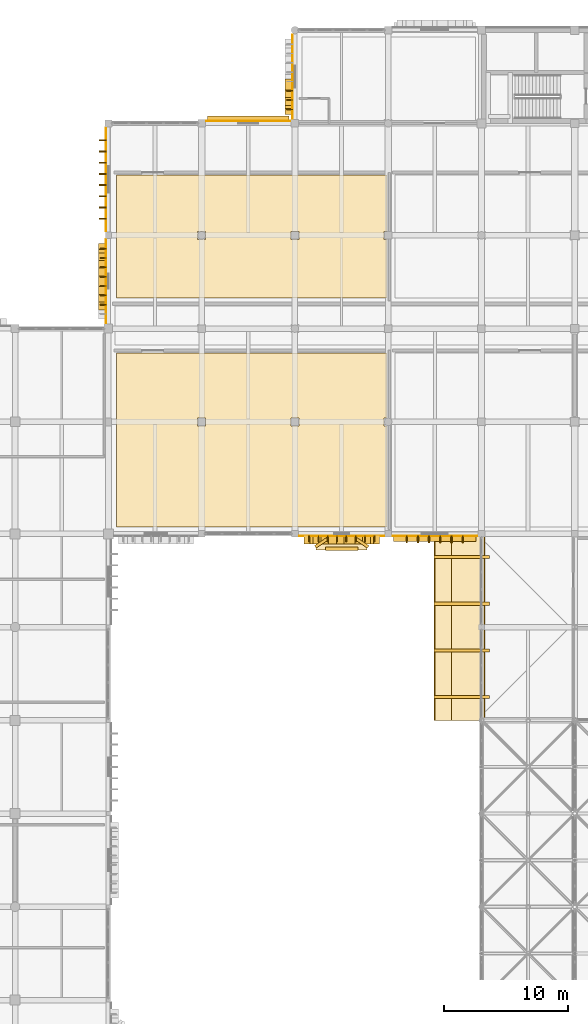
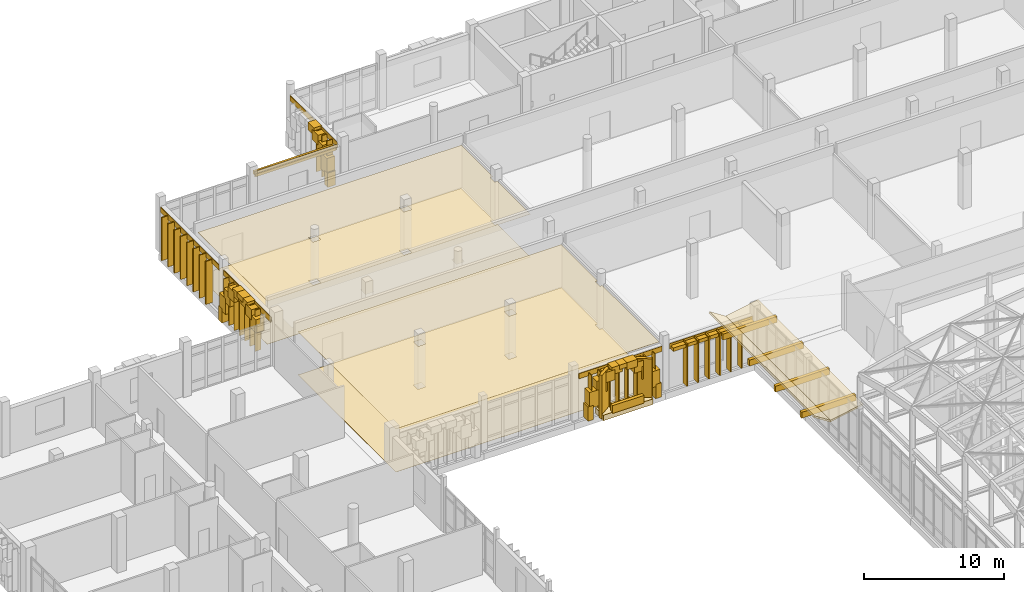
# One storey, part 120 of 131: 59 coverings, 20 shading devices.
"""IFC4 building model written with IfcOpenShell, lengths in metres."""

from ifc_helpers import new_model, si_unit, direction, frame, origin, origin_2d, place, context, subcontext, project, spatial, polyline, rectangle, outline, extrude, material, layer, layer_set, type_object, element, save


model = new_model("IFC4")

# Units and contexts
model_context = context("Model", 3, precision=1e-05, world=origin(), true_north=direction((0.0, 1.0)))
body_context = subcontext(model_context, "Body", "Model", "MODEL_VIEW")
ifc_project = project(units=[si_unit("LENGTHUNIT", "METRE"), si_unit("AREAUNIT", "SQUARE_METRE"), si_unit("VOLUMEUNIT", "CUBIC_METRE"), si_unit("PLANEANGLEUNIT", "RADIAN"), si_unit("MASSUNIT", "GRAM", prefix="KILO")], contexts=[model_context])

# Site, building, storey
site_placement = place(None, origin())
site = spatial("IfcSite", under=ifc_project, at=site_placement, CompositionType="ELEMENT")
building_placement = place(site_placement, origin())
building = spatial("IfcBuilding", under=site, at=building_placement, Name="Dalvernix Boulevard General Hospital", CompositionType="ELEMENT")
storey_placement = place(building_placement, frame((0.0, 0.0, 9.300048828125)))
storey = spatial("IfcBuildingStorey", under=building, at=storey_placement, Name="L02", CompositionType="ELEMENT", Elevation=9.300048828125)

# Coverings
ifc_material_1 = material(Name="Pressed Catalan clay brick and dressed limestone parabolic archivolt", Category="masonry")
ifc_layer_1 = layer(ifc_material_1, 0.419921875)
ifc_layer_set_1 = layer_set([ifc_layer_1], Name="Pressed Catalan clay brick and dressed limestone parabolic archivolt (COV-ARC-01)")
covering_type_1 = type_object("IfcCoveringType", Name="COV-ARC-01", PredefinedType="CLADDING", material=ifc_layer_set_1)
covering_1_placement = place(storey_placement, frame((29.514892578125, 99.60009765625, 0.0), z_axis=(0.0, 0.0, 1.0), x_axis=(0.0, 1.0, 0.0)))
element("IfcCovering", 1, at=covering_1_placement, inside=storey, type_object=covering_type_1, Name="L02 Catalan parabolic arch impost pier W 4-12-R", PredefinedType="CLADDING", context=body_context, shape_type="SweptSolid", body=[
    extrude(rectangle(XDim=0.4599609375, YDim=0.659912109375, at=origin_2d()), origin(), (0.0, 0.0, 1.0), 1.25),
])
covering_2_placement = place(storey_placement, frame((29.514892578125, 94.933349609375, 2.0791015625), z_axis=(0.0, 0.0, 1.0), x_axis=(0.0, 1.0, 0.0)))
element("IfcCovering", 2, at=covering_2_placement, inside=storey, type_object=covering_type_1, Name="L02 Catalan parabolic archivolt voussoir W 4-12-2", PredefinedType="CLADDING", context=body_context, shape_type="SweptSolid", body=[
    extrude(rectangle(XDim=0.8623046875, YDim=0.659912109375, at=origin_2d()), origin(), (0.0, 0.0, 1.0), 1.144287109375),
])
covering_3_placement = place(storey_placement, frame((29.514892578125, 95.5556640625, 2.843505859375), z_axis=(0.0, 0.0, 1.0), x_axis=(0.0, 1.0, 0.0)))
element("IfcCovering", 3, at=covering_3_placement, inside=storey, type_object=covering_type_1, Name="L02 Catalan parabolic archivolt voussoir W 4-12-3", PredefinedType="CLADDING", context=body_context, shape_type="SweptSolid", body=[
    extrude(rectangle(XDim=0.8623046875, YDim=0.659912109375, at=origin_2d()), origin(), (0.0, 0.0, 1.0), 0.8896484375),
])
covering_4_placement = place(storey_placement, frame((29.514892578125, 96.177734375, 3.353271484375), z_axis=(0.0, 0.0, 1.0), x_axis=(0.0, 1.0, 0.0)))
element("IfcCovering", 4, at=covering_4_placement, inside=storey, type_object=covering_type_1, Name="L02 Catalan parabolic archivolt voussoir W 4-12-4", PredefinedType="CLADDING", context=body_context, shape_type="SweptSolid", body=[
    extrude(rectangle(XDim=0.8623046875, YDim=0.659912109375, at=origin_2d()), origin(), (0.0, 0.0, 1.0), 0.634765625),
])
covering_5_placement = place(storey_placement, frame((29.514892578125, 96.800048828125, 3.608154296875), z_axis=(0.0, 0.0, 1.0), x_axis=(0.0, 1.0, 0.0)))
element("IfcCovering", 5, at=covering_5_placement, inside=storey, type_object=covering_type_1, Name="L02 Catalan parabolic archivolt voussoir W 4-12-5", PredefinedType="CLADDING", context=body_context, shape_type="SweptSolid", body=[
    extrude(rectangle(XDim=0.8623046875, YDim=0.659912109375, at=origin_2d()), origin(), (0.0, 0.0, 1.0), 0.3798828125),
])
covering_6_placement = place(storey_placement, frame((29.514892578125, 97.422119140625, 3.353271484375), z_axis=(0.0, 0.0, 1.0), x_axis=(0.0, 1.0, 0.0)))
element("IfcCovering", 6, at=covering_6_placement, inside=storey, type_object=covering_type_1, Name="L02 Catalan parabolic archivolt voussoir W 4-12-6", PredefinedType="CLADDING", context=body_context, shape_type="SweptSolid", body=[
    extrude(rectangle(XDim=0.8623046875, YDim=0.659912109375, at=origin_2d()), origin(), (0.0, 0.0, 1.0), 0.634765625),
])
covering_7_placement = place(storey_placement, frame((29.514892578125, 98.04443359375, 2.843505859375), z_axis=(0.0, 0.0, 1.0), x_axis=(0.0, 1.0, 0.0)))
element("IfcCovering", 7, at=covering_7_placement, inside=storey, type_object=covering_type_1, Name="L02 Catalan parabolic archivolt voussoir W 4-12-7", PredefinedType="CLADDING", context=body_context, shape_type="SweptSolid", body=[
    extrude(rectangle(XDim=0.8623046875, YDim=0.659912109375, at=origin_2d()), origin(), (0.0, 0.0, 1.0), 0.8896484375),
])
covering_8_placement = place(storey_placement, frame((29.514892578125, 98.666748046875, 2.0791015625), z_axis=(0.0, 0.0, 1.0), x_axis=(0.0, 1.0, 0.0)))
element("IfcCovering", 8, at=covering_8_placement, inside=storey, type_object=covering_type_1, Name="L02 Catalan parabolic archivolt voussoir W 4-12-8", PredefinedType="CLADDING", context=body_context, shape_type="SweptSolid", body=[
    extrude(rectangle(XDim=0.8623046875, YDim=0.659912109375, at=origin_2d()), origin(), (0.0, 0.0, 1.0), 1.144287109375),
])
covering_9_placement = place(storey_placement, frame((29.514892578125, 99.288818359375, 1.059814453125), z_axis=(0.0, 0.0, 1.0), x_axis=(0.0, 1.0, 0.0)))
element("IfcCovering", 9, at=covering_9_placement, inside=storey, type_object=covering_type_1, Name="L02 Catalan parabolic archivolt voussoir W 4-12-9", PredefinedType="CLADDING", context=body_context, shape_type="SweptSolid", body=[
    extrude(rectangle(XDim=0.8623046875, YDim=0.659912109375, at=origin_2d()), origin(), (0.0, 0.0, 1.0), 1.3994140625),
])
for number, where, z_axis, x_axis, name in (
    (10, (51.5625, 76.014892578125, 0.0), (0.0, 0.0, 1.0), (-1.0, 0.0, 0.0), "L02 Catalan parabolic arch impost pier S 6-10-L"),
    (11, (45.96240234375, 76.014892578125, 0.0), (0.0, 0.0, 1.0), (-1.0, 0.0, 0.0), "L02 Catalan parabolic arch impost pier S 6-10-R"),
):
    element("IfcCovering", number, at=place(storey_placement, frame(where, z_axis=z_axis, x_axis=x_axis)), inside=storey, type_object=covering_type_1, Name=name, PredefinedType="CLADDING", context=body_context, shape_type="SweptSolid", body=[
        extrude(rectangle(XDim=0.4599609375, YDim=0.659912109375, at=origin_2d()), origin(), (0.0, 0.0, 1.0), 1.25),
    ])
covering_10_placement = place(storey_placement, frame((51.25146484375, 76.014892578125, 1.059814453125), z_axis=(0.0, 0.0, 1.0), x_axis=(-1.0, 0.0, 0.0)))
element("IfcCovering", 12, at=covering_10_placement, inside=storey, type_object=covering_type_1, Name="L02 Catalan parabolic archivolt voussoir S 6-10-1", PredefinedType="CLADDING", context=body_context, shape_type="SweptSolid", body=[
    extrude(rectangle(XDim=0.8623046875, YDim=0.659912109375, at=origin_2d()), origin(), (0.0, 0.0, 1.0), 1.3994140625),
])
covering_11_placement = place(storey_placement, frame((50.629150390625, 76.014892578125, 2.0791015625), z_axis=(0.0, 0.0, 1.0), x_axis=(-1.0, 0.0, 0.0)))
element("IfcCovering", 13, at=covering_11_placement, inside=storey, type_object=covering_type_1, Name="L02 Catalan parabolic archivolt voussoir S 6-10-2", PredefinedType="CLADDING", context=body_context, shape_type="SweptSolid", body=[
    extrude(rectangle(XDim=0.8623046875, YDim=0.659912109375, at=origin_2d()), origin(), (0.0, 0.0, 1.0), 1.144287109375),
])
covering_12_placement = place(storey_placement, frame((50.0068359375, 76.014892578125, 2.843505859375), z_axis=(0.0, 0.0, 1.0), x_axis=(-1.0, 0.0, 0.0)))
element("IfcCovering", 14, at=covering_12_placement, inside=storey, type_object=covering_type_1, Name="L02 Catalan parabolic archivolt voussoir S 6-10-3", PredefinedType="CLADDING", context=body_context, shape_type="SweptSolid", body=[
    extrude(rectangle(XDim=0.8623046875, YDim=0.659912109375, at=origin_2d()), origin(), (0.0, 0.0, 1.0), 0.8896484375),
])
covering_13_placement = place(storey_placement, frame((49.384765625, 76.014892578125, 3.353271484375), z_axis=(0.0, 0.0, 1.0), x_axis=(-1.0, 0.0, 0.0)))
element("IfcCovering", 15, at=covering_13_placement, inside=storey, type_object=covering_type_1, Name="L02 Catalan parabolic archivolt voussoir S 6-10-4", PredefinedType="CLADDING", context=body_context, shape_type="SweptSolid", body=[
    extrude(rectangle(XDim=0.8623046875, YDim=0.659912109375, at=origin_2d()), origin(), (0.0, 0.0, 1.0), 0.634765625),
])
covering_14_placement = place(storey_placement, frame((48.762451171875, 76.014892578125, 3.608154296875), z_axis=(0.0, 0.0, 1.0), x_axis=(-1.0, 0.0, 0.0)))
element("IfcCovering", 16, at=covering_14_placement, inside=storey, type_object=covering_type_1, Name="L02 Catalan parabolic archivolt voussoir S 6-10-5", PredefinedType="CLADDING", context=body_context, shape_type="SweptSolid", body=[
    extrude(rectangle(XDim=0.8623046875, YDim=0.659912109375, at=origin_2d()), origin(), (0.0, 0.0, 1.0), 0.3798828125),
])
covering_15_placement = place(storey_placement, frame((48.140380859375, 76.014892578125, 3.353271484375), z_axis=(0.0, 0.0, 1.0), x_axis=(-1.0, 0.0, 0.0)))
element("IfcCovering", 17, at=covering_15_placement, inside=storey, type_object=covering_type_1, Name="L02 Catalan parabolic archivolt voussoir S 6-10-6", PredefinedType="CLADDING", context=body_context, shape_type="SweptSolid", body=[
    extrude(rectangle(XDim=0.8623046875, YDim=0.659912109375, at=origin_2d()), origin(), (0.0, 0.0, 1.0), 0.634765625),
])
covering_16_placement = place(storey_placement, frame((47.51806640625, 76.014892578125, 2.843505859375), z_axis=(0.0, 0.0, 1.0), x_axis=(-1.0, 0.0, 0.0)))
element("IfcCovering", 18, at=covering_16_placement, inside=storey, type_object=covering_type_1, Name="L02 Catalan parabolic archivolt voussoir S 6-10-7", PredefinedType="CLADDING", context=body_context, shape_type="SweptSolid", body=[
    extrude(rectangle(XDim=0.8623046875, YDim=0.659912109375, at=origin_2d()), origin(), (0.0, 0.0, 1.0), 0.8896484375),
])
covering_17_placement = place(storey_placement, frame((46.895751953125, 76.014892578125, 2.0791015625), z_axis=(0.0, 0.0, 1.0), x_axis=(-1.0, 0.0, 0.0)))
element("IfcCovering", 19, at=covering_17_placement, inside=storey, type_object=covering_type_1, Name="L02 Catalan parabolic archivolt voussoir S 6-10-8", PredefinedType="CLADDING", context=body_context, shape_type="SweptSolid", body=[
    extrude(rectangle(XDim=0.8623046875, YDim=0.659912109375, at=origin_2d()), origin(), (0.0, 0.0, 1.0), 1.144287109375),
])
covering_18_placement = place(storey_placement, frame((46.273681640625, 76.014892578125, 1.059814453125), z_axis=(0.0, 0.0, 1.0), x_axis=(-1.0, 0.0, 0.0)))
element("IfcCovering", 20, at=covering_18_placement, inside=storey, type_object=covering_type_1, Name="L02 Catalan parabolic archivolt voussoir S 6-10-9", PredefinedType="CLADDING", context=body_context, shape_type="SweptSolid", body=[
    extrude(rectangle(XDim=0.8623046875, YDim=0.659912109375, at=origin_2d()), origin(), (0.0, 0.0, 1.0), 1.3994140625),
])
covering_19_placement = place(storey_placement, frame((44.514892578125, 110.449951171875, 0.0), z_axis=(0.0, 0.0, 1.0), x_axis=(0.0, 1.0, 0.0)))
element("IfcCovering", 21, at=covering_19_placement, inside=storey, type_object=covering_type_1, Name="L02 Catalan parabolic arch impost pier W 6-14-L", PredefinedType="CLADDING", context=body_context, shape_type="SweptSolid", body=[
    extrude(rectangle(XDim=0.4599609375, YDim=0.659912109375, at=origin_2d()), origin(), (0.0, 0.0, 1.0), 1.25),
])
covering_20_placement = place(storey_placement, frame((44.514892578125, 110.760986328125, 1.059814453125), z_axis=(0.0, 0.0, 1.0), x_axis=(0.0, 1.0, 0.0)))
element("IfcCovering", 22, at=covering_20_placement, inside=storey, type_object=covering_type_1, Name="L02 Catalan parabolic archivolt voussoir W 6-14-1", PredefinedType="CLADDING", context=body_context, shape_type="SweptSolid", body=[
    extrude(rectangle(XDim=0.8623046875, YDim=0.659912109375, at=origin_2d()), origin(), (0.0, 0.0, 1.0), 1.3994140625),
])
covering_21_placement = place(storey_placement, frame((44.514892578125, 111.38330078125, 2.0791015625), z_axis=(0.0, 0.0, 1.0), x_axis=(0.0, 1.0, 0.0)))
element("IfcCovering", 23, at=covering_21_placement, inside=storey, type_object=covering_type_1, Name="L02 Catalan parabolic archivolt voussoir W 6-14-2", PredefinedType="CLADDING", context=body_context, shape_type="SweptSolid", body=[
    extrude(rectangle(XDim=0.8623046875, YDim=0.659912109375, at=origin_2d()), origin(), (0.0, 0.0, 1.0), 1.144287109375),
])
covering_22_placement = place(storey_placement, frame((44.514892578125, 112.005615234375, 2.843505859375), z_axis=(0.0, 0.0, 1.0), x_axis=(0.0, 1.0, 0.0)))
element("IfcCovering", 24, at=covering_22_placement, inside=storey, type_object=covering_type_1, Name="L02 Catalan parabolic archivolt voussoir W 6-14-3", PredefinedType="CLADDING", context=body_context, shape_type="SweptSolid", body=[
    extrude(rectangle(XDim=0.8623046875, YDim=0.659912109375, at=origin_2d()), origin(), (0.0, 0.0, 1.0), 0.8896484375),
])
covering_23_placement = place(storey_placement, frame((44.514892578125, 112.627685546875, 3.353271484375), z_axis=(0.0, 0.0, 1.0), x_axis=(0.0, 1.0, 0.0)))
element("IfcCovering", 25, at=covering_23_placement, inside=storey, type_object=covering_type_1, Name="L02 Catalan parabolic archivolt voussoir W 6-14-4", PredefinedType="CLADDING", context=body_context, shape_type="SweptSolid", body=[
    extrude(rectangle(XDim=0.8623046875, YDim=0.659912109375, at=origin_2d()), origin(), (0.0, 0.0, 1.0), 0.634765625),
])
ifc_material_2 = material(Name="Polychrome glazed Catalan trencadis ceramic faceted bay spandrel")
ifc_layer_2 = layer(ifc_material_2, 0.280029296875)
ifc_layer_set_2 = layer_set([ifc_layer_2], Name="Polychrome glazed Catalan trencadis ceramic faceted bay spandrel (COV-BAY-01)")
covering_type_2 = type_object("IfcCoveringType", Name="COV-BAY-01", PredefinedType="CLADDING", material=ifc_layer_set_2)
covering_24_placement = place(storey_placement, frame((48.762451171875, 75.31494140625, 0.3798828125), z_axis=(0.0, 0.0, 1.0), x_axis=(-1.0, 0.0, 0.0)))
element("IfcCovering", 26, at=covering_24_placement, inside=storey, type_object=covering_type_2, Name="L02 projecting faceted trencadis bay spandrel S 6-10", PredefinedType="CLADDING", context=body_context, shape_type="SweptSolid", body=[
    extrude(rectangle(XDim=2.60009765625, YDim=0.280029296875, at=origin_2d()), origin(), (0.0, 0.0, 1.0), 0.679931640625),
])
for number, where, z_axis, x_axis, name in (
    (27, (50.41259765625, 75.764892578125, 0.079833984375), (0.0, 0.0, 1.0), (-0.829037572555, 0.559192903471, 0.0), "L02 projecting faceted Catalan bay cheek S 6-10-L"),
    (28, (47.112548828125, 75.764892578125, 0.079833984375), (0.0, 0.0, 1.0), (-0.829037572555, -0.559192903471, 0.0), "L02 projecting faceted Catalan bay cheek S 6-10-R"),
):
    element("IfcCovering", number, at=place(storey_placement, frame(where, z_axis=z_axis, x_axis=x_axis)), inside=storey, type_object=covering_type_2, Name=name, PredefinedType="CLADDING", context=body_context, shape_type="SweptSolid", body=[
        extrude(rectangle(XDim=1.14990234375, YDim=0.239990234375, at=origin_2d()), origin(), (0.0, 0.0, 1.0), 3.7900390625),
    ])
ifc_material_3 = material(Name="Antimicrobial acoustic mineral-fibre suspended ceiling")
ifc_layer_3 = layer(ifc_material_3, 0.02490234375)
ifc_layer_set_3 = layer_set([ifc_layer_3], Name="Antimicrobial acoustic mineral-fibre suspended ceiling (COV-CEIL-01)")
covering_type_3 = type_object("IfcCoveringType", Name="COV-CEIL-01", PredefinedType="CEILING", material=ifc_layer_set_3)
covering_25_placement = place(storey_placement, frame((0.0, 0.0, 3.7548828125)))
element("IfcCovering", 29, at=covering_25_placement, inside=storey, type_object=covering_type_3, Name="L02 Operating Theatre 01 hygienic suspended ceiling", PredefinedType="CEILING", context=body_context, shape_type="SweptSolid", body=[
    extrude(outline(polyline([(52.389892578125, 105.35009765625), (52.389892578125, 100.820068359375), (52.179931640625, 100.820068359375), (52.179931640625, 100.179931640625), (52.389892578125, 100.179931640625), (52.389892578125, 95.449951171875), (30.669921875, 95.449951171875), (30.669921875, 105.35009765625), (52.389892578125, 105.35009765625)]), holes=[polyline([(37.179931640625, 100.179931640625), (37.820068359375, 100.179931640625), (37.820068359375, 100.820068359375), (37.179931640625, 100.820068359375), (37.179931640625, 100.179931640625)]), polyline([(44.679931640625, 100.820068359375), (44.679931640625, 100.179931640625), (45.320068359375, 100.179931640625), (45.320068359375, 100.820068359375), (44.679931640625, 100.820068359375)])]), origin(), (0.0, 0.0, 1.0), 0.025146484375),
])
covering_26_placement = place(storey_placement, frame((0.0, 0.0, 3.7548828125)))
element("IfcCovering", 30, at=covering_26_placement, inside=storey, type_object=covering_type_3, Name="L02 Operating Theatre 06 hygienic suspended ceiling", PredefinedType="CEILING", context=body_context, shape_type="SweptSolid", body=[
    extrude(outline(polyline([(52.389892578125, 91.050048828125), (52.389892578125, 85.820068359375), (52.179931640625, 85.820068359375), (52.179931640625, 85.179931640625), (52.389892578125, 85.179931640625), (52.389892578125, 77.050048828125), (30.669921875, 77.050048828125), (30.669921875, 91.050048828125), (52.389892578125, 91.050048828125)]), holes=[polyline([(37.179931640625, 85.179931640625), (37.820068359375, 85.179931640625), (37.820068359375, 85.820068359375), (37.179931640625, 85.820068359375), (37.179931640625, 85.179931640625)]), polyline([(44.679931640625, 85.820068359375), (44.679931640625, 85.179931640625), (45.320068359375, 85.179931640625), (45.320068359375, 85.820068359375), (44.679931640625, 85.820068359375)])]), origin(), (0.0, 0.0, 1.0), 0.025146484375),
])
ifc_material_4 = material(Name="Polychrome Catalan glazed ceramic spandrel tile panel")
ifc_layer_4 = layer(ifc_material_4, 0.044921875)
ifc_layer_set_4 = layer_set([ifc_layer_4], Name="Polychrome Catalan glazed ceramic spandrel tile panel (COV-CLD-01)")
covering_type_4 = type_object("IfcCoveringType", Name="COV-CLD-01", PredefinedType="CLADDING", material=ifc_layer_set_4)
covering_27_placement = place(storey_placement, frame((29.804931640625, 96.800048828125, 3.47509765625), z_axis=(0.0, 0.0, 1.0), x_axis=(0.0, 1.0, 0.0)))
element("IfcCovering", 31, at=covering_27_placement, inside=storey, type_object=covering_type_4, Name="L02 polychrome ceramic spandrel W 4-12", PredefinedType="CLADDING", context=body_context, shape_type="SweptSolid", body=[
    extrude(rectangle(XDim=6.780029296875, YDim=0.044921875, at=origin_2d()), origin(), (0.0, 0.0, 1.0), 0.449951171875),
])
covering_28_placement = place(storey_placement, frame((29.804931640625, 104.987548828125, 3.52490234375), z_axis=(0.0, 0.0, 1.0), x_axis=(0.0, 1.0, 0.0)))
element("IfcCovering", 32, at=covering_28_placement, inside=storey, type_object=covering_type_4, Name="L02 polychrome ceramic spandrel W 4-13", PredefinedType="CLADDING", context=body_context, shape_type="SweptSolid", body=[
    extrude(rectangle(XDim=8.35498046875, YDim=0.044921875, at=origin_2d()), origin(), (0.0, 0.0, 1.0), 0.449951171875),
])
covering_29_placement = place(storey_placement, frame((41.25, 109.695068359375, 3.47509765625), z_axis=(0.0, 0.0, 1.0), x_axis=(1.0, 0.0, 0.0)))
element("IfcCovering", 33, at=covering_29_placement, inside=storey, type_object=covering_type_4, Name="L02 polychrome ceramic spandrel N 5-14", PredefinedType="CLADDING", context=body_context, shape_type="SweptSolid", body=[
    extrude(rectangle(XDim=6.780029296875, YDim=0.044921875, at=origin_2d()), origin(), (0.0, 0.0, 1.0), 0.449951171875),
])
covering_30_placement = place(storey_placement, frame((48.762451171875, 76.304931640625, 3.47509765625), z_axis=(0.0, 0.0, 1.0), x_axis=(-1.0, 0.0, 0.0)))
element("IfcCovering", 34, at=covering_30_placement, inside=storey, type_object=covering_type_4, Name="L02 polychrome ceramic spandrel S 6-10", PredefinedType="CLADDING", context=body_context, shape_type="SweptSolid", body=[
    extrude(rectangle(XDim=6.85498046875, YDim=0.044921875, at=origin_2d()), origin(), (0.0, 0.0, 1.0), 0.449951171875),
])
covering_31_placement = place(storey_placement, frame((44.804931640625, 113.25, 3.47509765625), z_axis=(0.0, 0.0, 1.0), x_axis=(0.0, 1.0, 0.0)))
element("IfcCovering", 35, at=covering_31_placement, inside=storey, type_object=covering_type_4, Name="L02 polychrome ceramic spandrel W 6-14", PredefinedType="CLADDING", context=body_context, shape_type="SweptSolid", body=[
    extrude(rectangle(XDim=6.780029296875, YDim=0.044921875, at=origin_2d()), origin(), (0.0, 0.0, 1.0), 0.449951171875),
])
covering_32_placement = place(storey_placement, frame((56.237548828125, 76.304931640625, 3.47509765625), z_axis=(0.0, 0.0, 1.0), x_axis=(-1.0, 0.0, 0.0)))
element("IfcCovering", 36, at=covering_32_placement, inside=storey, type_object=covering_type_4, Name="L02 polychrome ceramic spandrel S 7-10", PredefinedType="CLADDING", context=body_context, shape_type="SweptSolid", body=[
    extrude(rectangle(XDim=6.85498046875, YDim=0.044921875, at=origin_2d()), origin(), (0.0, 0.0, 1.0), 0.449951171875),
])
ifc_material_5 = material(Name="Dressed ochre limestone classical plinth, stringcourse and corbelled cornice", Category="masonry")
ifc_layer_5 = layer(ifc_material_5, 0.449951171875)
ifc_layer_set_5 = layer_set([ifc_layer_5], Name="Dressed ochre limestone classical plinth, stringcourse and corbelled cornice (COV-CRN-01)")
covering_type_5 = type_object("IfcCoveringType", Name="COV-CRN-01", PredefinedType="CLADDING", material=ifc_layer_set_5)
covering_33_placement = place(storey_placement, frame((48.762451171875, 75.77001953125, 0.0), z_axis=(0.0, 0.0, 1.0), x_axis=(-1.0, 0.0, 0.0)))
element("IfcCovering", 37, at=covering_33_placement, inside=storey, type_object=covering_type_5, Name="L02 projecting Catalan bay corbel base S 6-10", PredefinedType="CLADDING", context=body_context, shape_type="SweptSolid", body=[
    extrude(rectangle(XDim=4.10009765625, YDim=1.14990234375, at=origin_2d()), origin(), (0.0, 0.0, 1.0), 0.47998046875),
])
ifc_material_6 = material(Name="Glazed Catalan terracotta and iroko timber overhanging upturned eave", Category="masonry")
ifc_layer_6 = layer(ifc_material_6, 0.139892578125)
ifc_layer_set_6 = layer_set([ifc_layer_6], Name="Glazed Catalan terracotta and iroko timber overhanging upturned eave (COV-EAVE-01)")
covering_type_6 = type_object("IfcCoveringType", Name="COV-EAVE-01", PredefinedType="CLADDING", material=ifc_layer_set_6)
covering_34_placement = place(storey_placement, frame((60.25, 76.5, 5.06005859375), z_axis=(-0.185805173125, 0.0, 0.982586605669), x_axis=(0.0, -1.0, 0.0)))
element("IfcCovering", 38, at=covering_34_placement, inside=storey, type_object=covering_type_6, Name="V1N overhanging ceramic eave skirt W", PredefinedType="CLADDING", context=body_context, shape_type="SweptSolid", body=[
    extrude(outline(polyline([(0.0, 0.0), (15.0, 0.0), (15.0, -2.798735484621844), (0.0, -2.798735484621844), (0.0, 0.0)])), origin(), (0.0, 0.0, -1.0), 0.139892578125),
])
covering_35_placement = place(storey_placement, frame((57.580078125, 76.5, 4.5400390625), z_axis=(0.542906093133, 0.0, 0.839793411524), x_axis=(0.0, -1.0, 0.0)))
element("IfcCovering", 39, at=covering_35_placement, inside=storey, type_object=covering_type_6, Name="V1N upturned ceramic eave wing W", PredefinedType="CLADDING", context=body_context, shape_type="SweptSolid", body=[
    extrude(outline(polyline([(0.0, 0.0), (15.0, 0.0), (15.0, -1.5838158608391104), (0.0, -1.5838158608391104), (0.0, 0.0)])), origin(), (0.0, 0.0, -1.0), 0.139892578125),
])
ifc_material_7 = material(Name="Terracotta-clad iroko timber brise-soleil sun-breaker fin", Category="masonry")
ifc_layer_7 = layer(ifc_material_7, 0.10009765625)
ifc_layer_set_7 = layer_set([ifc_layer_7], Name="Terracotta-clad iroko timber brise-soleil sun-breaker fin (COV-FIN-02)")
covering_type_7 = type_object("IfcCoveringType", Name="COV-FIN-02", PredefinedType="CLADDING", material=ifc_layer_set_7)
for number, where, z_axis, x_axis, name in (
    (40, (29.554931640625, 101.83740234375, 0.1201171875), (0.0, 0.0, 1.0), (0.0, 1.0, 0.0), "L02 terracotta brise-soleil fin W 4-13-1"),
    (41, (29.554931640625, 102.737548828125, 0.1201171875), (0.0, 0.0, 1.0), (0.0, 1.0, 0.0), "L02 terracotta brise-soleil fin W 4-13-2"),
    (42, (29.554931640625, 103.637451171875, 0.1201171875), (0.0, 0.0, 1.0), (0.0, 1.0, 0.0), "L02 terracotta brise-soleil fin W 4-13-3"),
    (43, (29.554931640625, 104.53759765625, 0.1201171875), (0.0, 0.0, 1.0), (0.0, 1.0, 0.0), "L02 terracotta brise-soleil fin W 4-13-4"),
    (44, (29.554931640625, 105.4375, 0.1201171875), (0.0, 0.0, 1.0), (0.0, 1.0, 0.0), "L02 terracotta brise-soleil fin W 4-13-5"),
    (45, (29.554931640625, 106.33740234375, 0.1201171875), (0.0, 0.0, 1.0), (0.0, 1.0, 0.0), "L02 terracotta brise-soleil fin W 4-13-6"),
    (46, (29.554931640625, 107.237548828125, 0.1201171875), (0.0, 0.0, 1.0), (0.0, 1.0, 0.0), "L02 terracotta brise-soleil fin W 4-13-7"),
    (47, (29.554931640625, 108.137451171875, 0.1201171875), (0.0, 0.0, 1.0), (0.0, 1.0, 0.0), "L02 terracotta brise-soleil fin W 4-13-8"),
):
    element("IfcCovering", number, at=place(storey_placement, frame(where, z_axis=z_axis, x_axis=x_axis)), inside=storey, type_object=covering_type_7, Name=name, PredefinedType="CLADDING", context=body_context, shape_type="SweptSolid", body=[
        extrude(rectangle(XDim=0.10009765625, YDim=0.580078125, at=origin_2d()), origin(), (0.0, 0.0, 1.0), 3.760009765625),
    ])
for number, where, z_axis, x_axis, name in (
    (48, (58.487548828125, 76.054931640625, 0.119873046875), (0.0, 0.0, 1.0), (-1.0, 0.0, 0.0), "L02 terracotta brise-soleil fin S 7-10-1"),
    (49, (57.58740234375, 76.054931640625, 0.119873046875), (0.0, 0.0, 1.0), (-1.0, 0.0, 0.0), "L02 terracotta brise-soleil fin S 7-10-2"),
    (50, (56.6875, 76.054931640625, 0.119873046875), (0.0, 0.0, 1.0), (-1.0, 0.0, 0.0), "L02 terracotta brise-soleil fin S 7-10-3"),
    (51, (55.78759765625, 76.054931640625, 0.119873046875), (0.0, 0.0, 1.0), (-1.0, 0.0, 0.0), "L02 terracotta brise-soleil fin S 7-10-4"),
    (52, (54.887451171875, 76.054931640625, 0.119873046875), (0.0, 0.0, 1.0), (-1.0, 0.0, 0.0), "L02 terracotta brise-soleil fin S 7-10-5"),
    (53, (53.987548828125, 76.054931640625, 0.119873046875), (0.0, 0.0, 1.0), (-1.0, 0.0, 0.0), "L02 terracotta brise-soleil fin S 7-10-6"),
):
    element("IfcCovering", number, at=place(storey_placement, frame(where, z_axis=z_axis, x_axis=x_axis)), inside=storey, type_object=covering_type_7, Name=name, PredefinedType="CLADDING", context=body_context, shape_type="SweptSolid", body=[
        extrude(rectangle(XDim=0.10009765625, YDim=0.580078125, at=origin_2d()), origin(), (0.0, 0.0, 1.0), 3.7099609375),
    ])
ifc_material_8 = material(Name="Seamless welded medical vinyl and polished terrazzo flooring")
ifc_layer_8 = layer(ifc_material_8, 0.014892578125)
ifc_layer_set_8 = layer_set([ifc_layer_8], Name="Seamless welded medical vinyl and polished terrazzo flooring (COV-FLR-01)")
covering_type_8 = type_object("IfcCoveringType", Name="COV-FLR-01", PredefinedType="FLOORING", material=ifc_layer_set_8)
covering_36_placement = place(storey_placement, origin())
element("IfcCovering", 54, at=covering_36_placement, inside=storey, type_object=covering_type_8, Name="L02 Operating Theatre 01 seamless clinical flooring", PredefinedType="FLOORING", context=body_context, shape_type="SweptSolid", body=[
    extrude(outline(polyline([(52.389892578125, 105.35009765625), (52.389892578125, 100.820068359375), (52.179931640625, 100.820068359375), (52.179931640625, 100.179931640625), (52.389892578125, 100.179931640625), (52.389892578125, 95.449951171875), (30.669921875, 95.449951171875), (30.669921875, 105.35009765625), (52.389892578125, 105.35009765625)]), holes=[polyline([(37.179931640625, 100.179931640625), (37.820068359375, 100.179931640625), (37.820068359375, 100.820068359375), (37.179931640625, 100.820068359375), (37.179931640625, 100.179931640625)]), polyline([(44.679931640625, 100.820068359375), (44.679931640625, 100.179931640625), (45.320068359375, 100.179931640625), (45.320068359375, 100.820068359375), (44.679931640625, 100.820068359375)])]), origin(), (0.0, 0.0, 1.0), 0.014892578125),
])
covering_37_placement = place(storey_placement, origin())
element("IfcCovering", 55, at=covering_37_placement, inside=storey, type_object=covering_type_8, Name="L02 Operating Theatre 06 seamless clinical flooring", PredefinedType="FLOORING", context=body_context, shape_type="SweptSolid", body=[
    extrude(outline(polyline([(52.389892578125, 91.050048828125), (52.389892578125, 85.820068359375), (52.179931640625, 85.820068359375), (52.179931640625, 85.179931640625), (52.389892578125, 85.179931640625), (52.389892578125, 77.050048828125), (30.669921875, 77.050048828125), (30.669921875, 91.050048828125), (52.389892578125, 91.050048828125)]), holes=[polyline([(37.179931640625, 85.179931640625), (37.820068359375, 85.179931640625), (37.820068359375, 85.820068359375), (37.179931640625, 85.820068359375), (37.179931640625, 85.179931640625)]), polyline([(44.679931640625, 85.820068359375), (44.679931640625, 85.179931640625), (45.320068359375, 85.179931640625), (45.320068359375, 85.820068359375), (44.679931640625, 85.820068359375)])]), origin(), (0.0, 0.0, 1.0), 0.014892578125),
])
ifc_material_9 = material(Name="Preservative-treated glulam GL28h eave outlooker corbel bracket", Category="wood")
ifc_layer_9 = layer(ifc_material_9, 0.239990234375)
ifc_layer_set_9 = layer_set([ifc_layer_9], Name="Preservative-treated glulam GL28h eave outlooker corbel bracket (COV-OUTLOOK-01)")
covering_type_9 = type_object("IfcCoveringType", Name="COV-OUTLOOK-01", PredefinedType="CLADDING", material=ifc_layer_set_9)
for number, where, z_axis, x_axis, name in (
    (56, (58.425048828125, 63.375, 4.139892578125), (0.0, 0.0, 1.0), (1.0, 0.0, 0.0), "V1N glulam eave outlooker corbel W-1"),
    (57, (58.425048828125, 67.125, 4.139892578125), (0.0, 0.0, 1.0), (1.0, 0.0, 0.0), "V1N glulam eave outlooker corbel W-2"),
    (58, (58.425048828125, 70.875, 4.139892578125), (0.0, 0.0, 1.0), (1.0, 0.0, 0.0), "V1N glulam eave outlooker corbel W-3"),
    (59, (58.425048828125, 74.625, 4.139892578125), (0.0, 0.0, 1.0), (1.0, 0.0, 0.0), "V1N glulam eave outlooker corbel W-4"),
):
    element("IfcCovering", number, at=place(storey_placement, frame(where, z_axis=z_axis, x_axis=x_axis)), inside=storey, type_object=covering_type_9, Name=name, PredefinedType="CLADDING", context=body_context, shape_type="SweptSolid", body=[
        extrude(rectangle(XDim=4.449951171875, YDim=0.260009765625, at=origin_2d()), origin(), (0.0, 0.0, 1.0), 0.52001953125),
    ])

# Shading devices
ifc_material_10 = material(Name="Preservative-treated West African iroko timber", Category="wood")
shading_device_type_1 = type_object("IfcShadingDeviceType", Name="SHD-FIN-01", PredefinedType="USERDEFINED", material=ifc_material_10)
for number, where, z_axis, x_axis, name in (
    (60, (29.594970703125, 94.925048828125, 0.1748046875), (0.0, 0.0, 1.0), (0.0, 1.0, 0.0), "L02 iroko brise-soleil fin 2"),
    (61, (29.594970703125, 95.675048828125, 0.1748046875), (0.0, 0.0, 1.0), (0.0, 1.0, 0.0), "L02 iroko brise-soleil fin 3"),
    (62, (29.594970703125, 96.425048828125, 0.1748046875), (0.0, 0.0, 1.0), (0.0, 1.0, 0.0), "L02 iroko brise-soleil fin 4"),
    (63, (29.594970703125, 97.175048828125, 0.1748046875), (0.0, 0.0, 1.0), (0.0, 1.0, 0.0), "L02 iroko brise-soleil fin 5"),
    (64, (29.594970703125, 97.925048828125, 0.1748046875), (0.0, 0.0, 1.0), (0.0, 1.0, 0.0), "L02 iroko brise-soleil fin 6"),
    (65, (29.594970703125, 98.675048828125, 0.1748046875), (0.0, 0.0, 1.0), (0.0, 1.0, 0.0), "L02 iroko brise-soleil fin 7"),
    (66, (29.594970703125, 99.425048828125, 0.1748046875), (0.0, 0.0, 1.0), (0.0, 1.0, 0.0), "L02 iroko brise-soleil fin 8"),
    (67, (51.387451171875, 76.094970703125, 0.1748046875), (0.0, 0.0, 1.0), (-1.0, 0.0, 0.0), "L02 iroko brise-soleil fin 1"),
    (68, (50.637451171875, 76.094970703125, 0.1748046875), (0.0, 0.0, 1.0), (-1.0, 0.0, 0.0), "L02 iroko brise-soleil fin 2"),
    (69, (49.887451171875, 76.094970703125, 0.1748046875), (0.0, 0.0, 1.0), (-1.0, 0.0, 0.0), "L02 iroko brise-soleil fin 3"),
    (70, (49.137451171875, 76.094970703125, 0.1748046875), (0.0, 0.0, 1.0), (-1.0, 0.0, 0.0), "L02 iroko brise-soleil fin 4"),
    (71, (48.387451171875, 76.094970703125, 0.1748046875), (0.0, 0.0, 1.0), (-1.0, 0.0, 0.0), "L02 iroko brise-soleil fin 5"),
    (72, (47.637451171875, 76.094970703125, 0.1748046875), (0.0, 0.0, 1.0), (-1.0, 0.0, 0.0), "L02 iroko brise-soleil fin 6"),
    (73, (46.887451171875, 76.094970703125, 0.1748046875), (0.0, 0.0, 1.0), (-1.0, 0.0, 0.0), "L02 iroko brise-soleil fin 7"),
    (74, (46.137451171875, 76.094970703125, 0.1748046875), (0.0, 0.0, 1.0), (-1.0, 0.0, 0.0), "L02 iroko brise-soleil fin 8"),
    (75, (44.594970703125, 110.625, 0.1748046875), (0.0, 0.0, 1.0), (0.0, 1.0, 0.0), "L02 iroko brise-soleil fin 1"),
    (76, (44.594970703125, 111.375, 0.1748046875), (0.0, 0.0, 1.0), (0.0, 1.0, 0.0), "L02 iroko brise-soleil fin 2"),
    (77, (44.594970703125, 112.125, 0.1748046875), (0.0, 0.0, 1.0), (0.0, 1.0, 0.0), "L02 iroko brise-soleil fin 3"),
):
    element("IfcShadingDevice", number, at=place(storey_placement, frame(where, z_axis=z_axis, x_axis=x_axis)), inside=storey, type_object=shading_device_type_1, Name=name, ObjectType="FIN", PredefinedType="USERDEFINED", context=body_context, shape_type="SweptSolid", body=[
        extrude(rectangle(XDim=0.06494140625, YDim=0.47998046875, at=origin_2d()), origin(), (0.0, 0.0, 1.0), 3.60009765625),
    ])
ifc_material_11 = material(Name="Extruded aluminium solar jalousie louvre bank", Category="aluminium")
shading_device_type_2 = type_object("IfcShadingDeviceType", Name="SHD-JAL-01", PredefinedType="JALOUSIE", material=ifc_material_11)
shading_device_1_placement = place(storey_placement, frame((41.25, 109.885009765625, 3.44970703125), z_axis=(0.0, 0.0, 1.0), x_axis=(1.0, 0.0, 0.0)))
element("IfcShadingDevice", 78, at=shading_device_1_placement, inside=storey, type_object=shading_device_type_2, Name="L02 solar jalousie louvre N 5-14", PredefinedType="JALOUSIE", context=body_context, shape_type="SweptSolid", body=[
    extrude(rectangle(XDim=6.580078125, YDim=0.449951171875, at=origin_2d()), origin(), (0.0, 0.0, 1.0), 0.300048828125),
])
shading_device_2_placement = place(storey_placement, frame((56.237548828125, 76.114990234375, 3.44970703125), z_axis=(0.0, 0.0, 1.0), x_axis=(-1.0, 0.0, 0.0)))
element("IfcShadingDevice", 79, at=shading_device_2_placement, inside=storey, type_object=shading_device_type_2, Name="L02 solar jalousie louvre S 7-10", PredefinedType="JALOUSIE", context=body_context, shape_type="SweptSolid", body=[
    extrude(rectangle(XDim=6.655029296875, YDim=0.449951171875, at=origin_2d()), origin(), (0.0, 0.0, 1.0), 0.300048828125),
])

save(model, "model.ifc")
